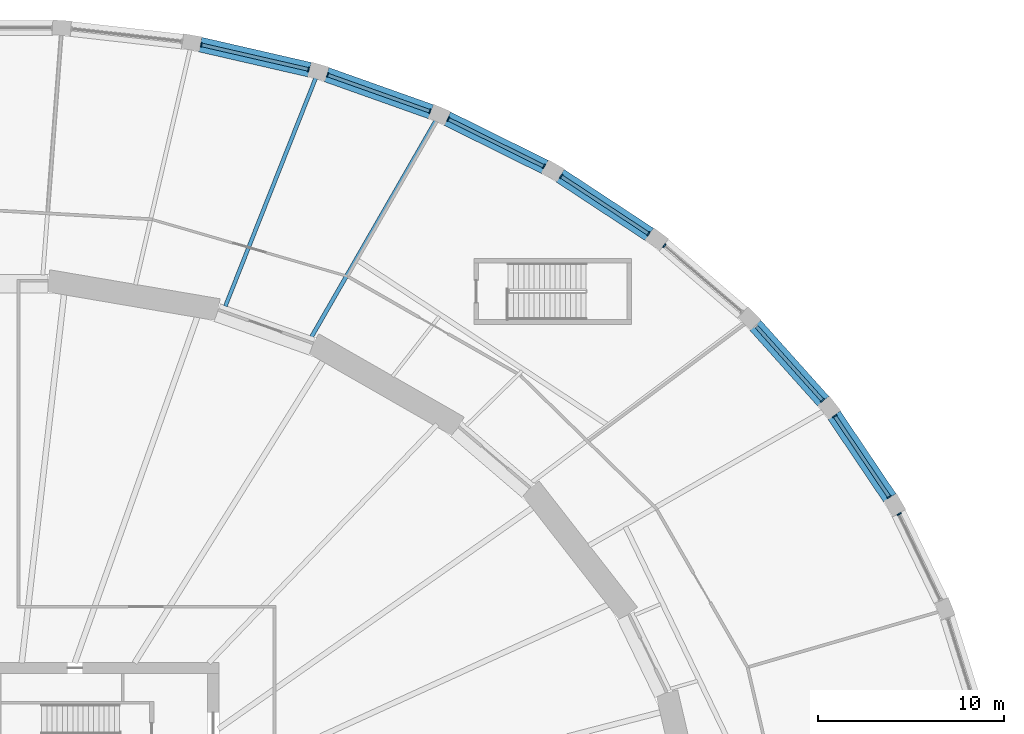
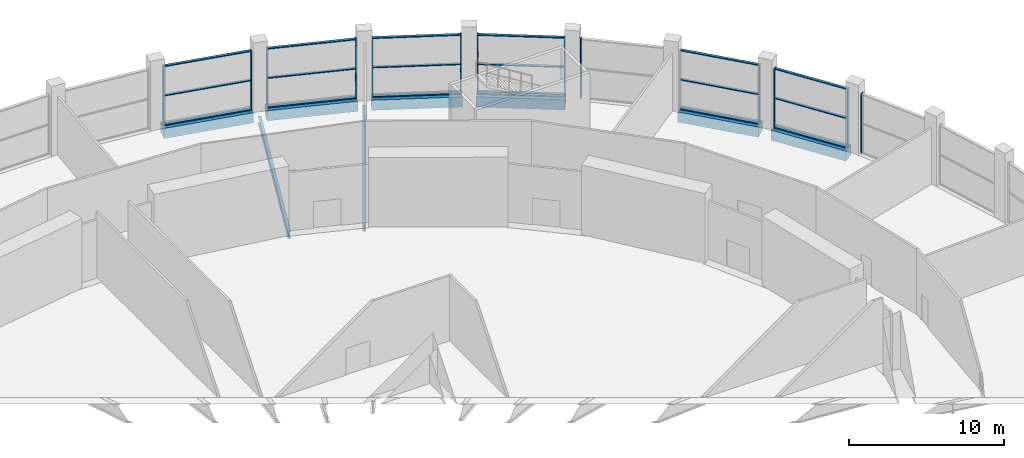
# One storey, part 17 of 29: 31 members, 8 beams, 8 elements without a shape of their own.
"""IFC4 building model written with IfcOpenShell, lengths in metres."""

from ifc_helpers import new_model, si_unit, direction, frame, origin, origin_2d, place, context, subcontext, project, spatial, rectangle, i_section, extrude, material, material_profile, profile_set, type_object, element, aggregate, save


model = new_model("IFC4")

# Units and contexts
model_context = context("Model", 3, precision=1e-05, world=origin(), true_north=direction((0.0, 1.0)))
body_context = subcontext(model_context, "Body", "Model", "MODEL_VIEW")
ifc_project = project(units=[si_unit("LENGTHUNIT", "METRE"), si_unit("AREAUNIT", "SQUARE_METRE"), si_unit("VOLUMEUNIT", "CUBIC_METRE"), si_unit("PLANEANGLEUNIT", "RADIAN"), si_unit("MASSUNIT", "GRAM", prefix="KILO")], contexts=[model_context])

# Site, building, storey
site_placement = place(None, origin())
site = spatial("IfcSite", under=ifc_project, at=site_placement, CompositionType="ELEMENT")
building_placement = place(site_placement, origin())
building = spatial("IfcBuilding", under=site, at=building_placement, Name="Halqa Exchange Tower", CompositionType="ELEMENT")
storey_placement = place(building_placement, frame((0.0, 0.0, 7.0)))
storey = spatial("IfcBuildingStorey", under=building, at=storey_placement, Name="L01", CompositionType="ELEMENT", Elevation=7.0)

# Curtain wall, member
ifc_material_1 = material(Name="Anodised aluminium and clear glass", Category="aluminium")
curtain_wall_type = type_object("IfcCurtainWallType", Name="Exchange hall glazing", PredefinedType="NOTDEFINED", material=ifc_material_1)
curtain_wall_1_placement = place(storey_placement, origin())
curtain_wall_1 = element("IfcCurtainWall", 1, at=curtain_wall_1_placement, inside=storey, type_object=curtain_wall_type, Name="Exchange hall glazing run P3", PredefinedType="NOTDEFINED")
ifc_material_2 = material(Name="Anodised aluminium", Category="aluminium")
ifc_material_profile_1 = material_profile(ifc_material_2, rectangle(XDim=0.25, YDim=0.070068359375, at=origin_2d()), Name="AL 70x250")
ifc_profile_set_1 = profile_set([ifc_material_profile_1], Name="Anodised aluminium")
member_type_1 = type_object("IfcMemberType", Name="Exchange hall glazing mullion 70 x 250", PredefinedType="MULLION", material=ifc_profile_set_1)
member_1_placement = place(storey_placement, frame((48.663818359375, 19.996337890625, 0.0), z_axis=(0.0, 0.0, 1.0), x_axis=(-0.90043534892, -0.434989864727, 0.0)))
member_1 = element("IfcMember", 2, at=member_1_placement, type_object=member_type_1, Name="P3 mullion 2", PredefinedType="MULLION", context=body_context, shape_type="SweptSolid", body=[
    extrude(rectangle(XDim=0.25, YDim=0.070068359375, at=origin_2d()), origin(), (0.0, 0.0, 1.0), 4.699951171875),
])
aggregate(curtain_wall_1, [member_1])

# Curtain wall, members
curtain_wall_2_placement = place(storey_placement, origin())
curtain_wall_2 = element("IfcCurtainWall", 3, at=curtain_wall_2_placement, inside=storey, type_object=curtain_wall_type, Name="Exchange hall glazing run P4", PredefinedType="NOTDEFINED")
member_2_placement = place(storey_placement, frame((48.13232421875, 20.921630859375, 0.0), z_axis=(0.0, 0.0, 1.0), x_axis=(-0.8294895023, -0.55852230535, 0.0)))
member_2 = element("IfcMember", 4, at=member_2_placement, type_object=member_type_1, Name="P4 mullion 1", PredefinedType="MULLION", context=body_context, shape_type="SweptSolid", body=[
    extrude(rectangle(XDim=0.25, YDim=0.070068359375, at=origin_2d()), origin(), (0.0, 0.0, 1.0), 4.699951171875),
])
member_3_placement = place(storey_placement, frame((45.1982421875, 25.279052734375, 0.0), z_axis=(0.0, 0.0, 1.0), x_axis=(-0.8294895023, -0.55852230535, 0.0)))
member_3 = element("IfcMember", 5, at=member_3_placement, type_object=member_type_1, Name="P4 mullion 2", PredefinedType="MULLION", context=body_context, shape_type="SweptSolid", body=[
    extrude(rectangle(XDim=0.25, YDim=0.070068359375, at=origin_2d()), origin(), (0.0, 0.0, 1.0), 4.699951171875),
])

# Curtain wall, member
curtain_wall_3_placement = place(storey_placement, origin())
curtain_wall_3 = element("IfcCurtainWall", 6, at=curtain_wall_3_placement, inside=storey, type_object=curtain_wall_type, Name="Exchange hall glazing run P5", PredefinedType="NOTDEFINED")
member_4_placement = place(storey_placement, frame((44.542724609375, 26.12158203125, 0.0), z_axis=(0.0, 0.0, 1.0), x_axis=(-0.74514769466, -0.666899477539, 0.0)))
member_4 = element("IfcMember", 7, at=member_4_placement, type_object=member_type_1, Name="P5 mullion 1", PredefinedType="MULLION", context=body_context, shape_type="SweptSolid", body=[
    extrude(rectangle(XDim=0.25, YDim=0.070068359375, at=origin_2d()), origin(), (0.0, 0.0, 1.0), 4.699951171875),
])

curtain_wall_4_placement = place(storey_placement, origin())
curtain_wall_4 = element("IfcCurtainWall", 8, at=curtain_wall_4_placement, inside=storey, type_object=curtain_wall_type, Name="Exchange hall glazing run P6", PredefinedType="NOTDEFINED")
member_5_placement = place(storey_placement, frame((36.010986328125, 34.4619140625, 0.0), z_axis=(0.0, 0.0, 1.0), x_axis=(-0.650910929175, -0.759154109704, 0.0)))
member_5 = element("IfcMember", 9, at=member_5_placement, type_object=member_type_1, Name="P6 mullion 2", PredefinedType="MULLION", context=body_context, shape_type="SweptSolid", body=[
    extrude(rectangle(XDim=0.25, YDim=0.070068359375, at=origin_2d()), origin(), (0.0, 0.0, 1.0), 4.699951171875),
])
aggregate(curtain_wall_4, [member_5])

# Curtain wall, members
curtain_wall_5_placement = place(storey_placement, origin())
curtain_wall_5 = element("IfcCurtainWall", 10, at=curtain_wall_5_placement, inside=storey, type_object=curtain_wall_type, Name="Exchange hall glazing run P7", PredefinedType="NOTDEFINED")
member_6_placement = place(storey_placement, frame((35.15771484375, 35.104248046875, 0.0), z_axis=(0.0, 0.0, 1.0), x_axis=(-0.549620040919, -0.835414753652, 0.0)))
member_6 = element("IfcMember", 11, at=member_6_placement, type_object=member_type_1, Name="P7 mullion 1", PredefinedType="MULLION", context=body_context, shape_type="SweptSolid", body=[
    extrude(rectangle(XDim=0.25, YDim=0.070068359375, at=origin_2d()), origin(), (0.0, 0.0, 1.0), 4.699951171875),
])
member_7_placement = place(storey_placement, frame((30.44775390625, 38.202880859375, 0.0), z_axis=(0.0, 0.0, 1.0), x_axis=(-0.549620040919, -0.835414753652, 0.0)))
member_7 = element("IfcMember", 12, at=member_7_placement, type_object=member_type_1, Name="P7 mullion 2", PredefinedType="MULLION", context=body_context, shape_type="SweptSolid", body=[
    extrude(rectangle(XDim=0.25, YDim=0.070068359375, at=origin_2d()), origin(), (0.0, 0.0, 1.0), 4.699951171875),
])

curtain_wall_6_placement = place(storey_placement, origin())
curtain_wall_6 = element("IfcCurtainWall", 13, at=curtain_wall_6_placement, inside=storey, type_object=curtain_wall_type, Name="Exchange hall glazing run P8", PredefinedType="NOTDEFINED")
member_8_placement = place(storey_placement, frame((29.521240234375, 38.734375, 0.0), z_axis=(0.0, 0.0, 1.0), x_axis=(-0.443653417058, -0.896198440934, 0.0)))
member_8 = element("IfcMember", 14, at=member_8_placement, type_object=member_type_1, Name="P8 mullion 1", PredefinedType="MULLION", context=body_context, shape_type="SweptSolid", body=[
    extrude(rectangle(XDim=0.25, YDim=0.070068359375, at=origin_2d()), origin(), (0.0, 0.0, 1.0), 4.699951171875),
])
member_9_placement = place(storey_placement, frame((24.363037109375, 41.287841796875, 0.0), z_axis=(0.0, 0.0, 1.0), x_axis=(-0.443653417058, -0.896198440934, 0.0)))
member_9 = element("IfcMember", 15, at=member_9_placement, type_object=member_type_1, Name="P8 mullion 2", PredefinedType="MULLION", context=body_context, shape_type="SweptSolid", body=[
    extrude(rectangle(XDim=0.25, YDim=0.070068359375, at=origin_2d()), origin(), (0.0, 0.0, 1.0), 4.699951171875),
])

curtain_wall_7_placement = place(storey_placement, origin())
curtain_wall_7 = element("IfcCurtainWall", 16, at=curtain_wall_7_placement, inside=storey, type_object=curtain_wall_type, Name="Exchange hall glazing run P9", PredefinedType="NOTDEFINED")
member_10_placement = place(storey_placement, frame((23.37939453125, 41.7041015625, 0.0), z_axis=(0.0, 0.0, 1.0), x_axis=(-0.334688348326, -0.942328875444, 0.0)))
member_10 = element("IfcMember", 17, at=member_10_placement, type_object=member_type_1, Name="P9 mullion 1", PredefinedType="MULLION", context=body_context, shape_type="SweptSolid", body=[
    extrude(rectangle(XDim=0.25, YDim=0.070068359375, at=origin_2d()), origin(), (0.0, 0.0, 1.0), 4.699951171875),
])
member_11_placement = place(storey_placement, frame((17.86181640625, 43.663818359375, 0.0), z_axis=(0.0, 0.0, 1.0), x_axis=(-0.334688348326, -0.942328875444, 0.0)))
member_11 = element("IfcMember", 18, at=member_11_placement, type_object=member_type_1, Name="P9 mullion 2", PredefinedType="MULLION", context=body_context, shape_type="SweptSolid", body=[
    extrude(rectangle(XDim=0.25, YDim=0.070068359375, at=origin_2d()), origin(), (0.0, 0.0, 1.0), 4.699951171875),
])

curtain_wall_8_placement = place(storey_placement, origin())
curtain_wall_8 = element("IfcCurtainWall", 19, at=curtain_wall_8_placement, inside=storey, type_object=curtain_wall_type, Name="Exchange hall glazing run P10", PredefinedType="NOTDEFINED")
member_12_placement = place(storey_placement, frame((16.836181640625, 43.962646484375, 0.0), z_axis=(0.0, 0.0, 1.0), x_axis=(-0.223896655269, -0.974612891234, 0.0)))
member_12 = element("IfcMember", 20, at=member_12_placement, type_object=member_type_1, Name="P10 mullion 1", PredefinedType="MULLION", context=body_context, shape_type="SweptSolid", body=[
    extrude(rectangle(XDim=0.25, YDim=0.070068359375, at=origin_2d()), origin(), (0.0, 0.0, 1.0), 4.699951171875),
])
member_13_placement = place(storey_placement, frame((11.056396484375, 45.29052734375, 0.0), z_axis=(0.0, 0.0, 1.0), x_axis=(-0.223896655269, -0.974612891234, 0.0)))
member_13 = element("IfcMember", 21, at=member_13_placement, type_object=member_type_1, Name="P10 mullion 2", PredefinedType="MULLION", context=body_context, shape_type="SweptSolid", body=[
    extrude(rectangle(XDim=0.25, YDim=0.070068359375, at=origin_2d()), origin(), (0.0, 0.0, 1.0), 4.699951171875),
])

# Member
ifc_material_profile_2 = material_profile(ifc_material_2, rectangle(XDim=0.199951171875, YDim=0.070068359375, at=origin_2d()), Name="AL 70x200")
ifc_profile_set_2 = profile_set([ifc_material_profile_2], Name="Anodised aluminium")
member_type_2 = type_object("IfcMemberType", Name="Exchange hall glazing transom 70 x 200", PredefinedType="USERDEFINED", material=ifc_profile_set_2)
member_14_placement = place(storey_placement, frame((48.11279296875, 20.95068359375, 0.034912109375), z_axis=(-0.558520359636, 0.82949081241, 0.0), x_axis=(-0.82949081241, -0.558520359636, 0.0)))
member_14 = element("IfcMember", 22, at=member_14_placement, type_object=member_type_2, Name="P4 transom 1.1", ObjectType="TRANSOM", PredefinedType="USERDEFINED", context=body_context, shape_type="SweptSolid", body=[
    extrude(rectangle(XDim=0.199951171875, YDim=0.070068359375, at=origin_2d()), origin(), (0.0, 0.0, 1.0), 5.183349609375),
])

member_15_placement = place(storey_placement, frame((48.11279296875, 20.95068359375, 2.35009765625), z_axis=(-0.558520359636, 0.82949081241, 0.0), x_axis=(-0.82949081241, -0.558520359636, 0.0)))
member_15 = element("IfcMember", 23, at=member_15_placement, type_object=member_type_2, Name="P4 transom 1.2", ObjectType="TRANSOM", PredefinedType="USERDEFINED", context=body_context, shape_type="SweptSolid", body=[
    extrude(rectangle(XDim=0.199951171875, YDim=0.070068359375, at=origin_2d()), origin(), (0.0, 0.0, 1.0), 5.183349609375),
])

member_16_placement = place(storey_placement, frame((48.11279296875, 20.95068359375, 4.6650390625), z_axis=(-0.558520359636, 0.82949081241, 0.0), x_axis=(-0.82949081241, -0.558520359636, 0.0)))
member_16 = element("IfcMember", 24, at=member_16_placement, type_object=member_type_2, Name="P4 transom 1.3", ObjectType="TRANSOM", PredefinedType="USERDEFINED", context=body_context, shape_type="SweptSolid", body=[
    extrude(rectangle(XDim=0.199951171875, YDim=0.070068359375, at=origin_2d()), origin(), (0.0, 0.0, 1.0), 5.183349609375),
])

aggregate(curtain_wall_2, [member_2, member_3, member_14, member_15, member_16])

member_17_placement = place(storey_placement, frame((44.519287109375, 26.147705078125, 0.034912109375), z_axis=(-0.666880900978, 0.745164320074, 0.0), x_axis=(-0.745164320074, -0.666880900978, 0.0)))
member_17 = element("IfcMember", 25, at=member_17_placement, type_object=member_type_2, Name="P5 transom 1.1", ObjectType="TRANSOM", PredefinedType="USERDEFINED", context=body_context, shape_type="SweptSolid", body=[
    extrude(rectangle(XDim=0.199951171875, YDim=0.070068359375, at=origin_2d()), origin(), (0.0, 0.0, 1.0), 5.30810546875),
])

member_18_placement = place(storey_placement, frame((44.519287109375, 26.147705078125, 2.35009765625), z_axis=(-0.666880900978, 0.745164320074, 0.0), x_axis=(-0.745164320074, -0.666880900978, 0.0)))
member_18 = element("IfcMember", 26, at=member_18_placement, type_object=member_type_2, Name="P5 transom 1.2", ObjectType="TRANSOM", PredefinedType="USERDEFINED", context=body_context, shape_type="SweptSolid", body=[
    extrude(rectangle(XDim=0.199951171875, YDim=0.070068359375, at=origin_2d()), origin(), (0.0, 0.0, 1.0), 5.30810546875),
])

member_19_placement = place(storey_placement, frame((44.519287109375, 26.147705078125, 4.6650390625), z_axis=(-0.666880900978, 0.745164320074, 0.0), x_axis=(-0.745164320074, -0.666880900978, 0.0)))
member_19 = element("IfcMember", 27, at=member_19_placement, type_object=member_type_2, Name="P5 transom 1.3", ObjectType="TRANSOM", PredefinedType="USERDEFINED", context=body_context, shape_type="SweptSolid", body=[
    extrude(rectangle(XDim=0.199951171875, YDim=0.070068359375, at=origin_2d()), origin(), (0.0, 0.0, 1.0), 5.30810546875),
])

aggregate(curtain_wall_3, [member_4, member_17, member_18, member_19])

member_20_placement = place(storey_placement, frame((35.12841796875, 35.12353515625, 0.034912109375), z_axis=(-0.835401187087, 0.549640661355, 0.0), x_axis=(-0.549640661355, -0.835401187087, 0.0)))
member_20 = element("IfcMember", 28, at=member_20_placement, type_object=member_type_2, Name="P7 transom 1.1", ObjectType="TRANSOM", PredefinedType="USERDEFINED", context=body_context, shape_type="SweptSolid", body=[
    extrude(rectangle(XDim=0.199951171875, YDim=0.070068359375, at=origin_2d()), origin(), (0.0, 0.0, 1.0), 5.56787109375),
])

member_21_placement = place(storey_placement, frame((35.12841796875, 35.12353515625, 2.35009765625), z_axis=(-0.835401187087, 0.549640661355, 0.0), x_axis=(-0.549640661355, -0.835401187087, 0.0)))
member_21 = element("IfcMember", 29, at=member_21_placement, type_object=member_type_2, Name="P7 transom 1.2", ObjectType="TRANSOM", PredefinedType="USERDEFINED", context=body_context, shape_type="SweptSolid", body=[
    extrude(rectangle(XDim=0.199951171875, YDim=0.070068359375, at=origin_2d()), origin(), (0.0, 0.0, 1.0), 5.56787109375),
])

member_22_placement = place(storey_placement, frame((35.12841796875, 35.12353515625, 4.6650390625), z_axis=(-0.835401187087, 0.549640661355, 0.0), x_axis=(-0.549640661355, -0.835401187087, 0.0)))
member_22 = element("IfcMember", 30, at=member_22_placement, type_object=member_type_2, Name="P7 transom 1.3", ObjectType="TRANSOM", PredefinedType="USERDEFINED", context=body_context, shape_type="SweptSolid", body=[
    extrude(rectangle(XDim=0.199951171875, YDim=0.070068359375, at=origin_2d()), origin(), (0.0, 0.0, 1.0), 5.56787109375),
])

aggregate(curtain_wall_5, [member_6, member_7, member_20, member_21, member_22])

member_23_placement = place(storey_placement, frame((29.489990234375, 38.749755859375, 0.034912109375), z_axis=(-0.89618076134, 0.443689128788, 0.0), x_axis=(-0.443689128788, -0.89618076134, 0.0)))
member_23 = element("IfcMember", 31, at=member_23_placement, type_object=member_type_2, Name="P8 transom 1.1", ObjectType="TRANSOM", PredefinedType="USERDEFINED", context=body_context, shape_type="SweptSolid", body=[
    extrude(rectangle(XDim=0.199951171875, YDim=0.070068359375, at=origin_2d()), origin(), (0.0, 0.0, 1.0), 5.685791015625),
])

member_24_placement = place(storey_placement, frame((29.489990234375, 38.749755859375, 2.35009765625), z_axis=(-0.89618076134, 0.443689128788, 0.0), x_axis=(-0.443689128788, -0.89618076134, 0.0)))
member_24 = element("IfcMember", 32, at=member_24_placement, type_object=member_type_2, Name="P8 transom 1.2", ObjectType="TRANSOM", PredefinedType="USERDEFINED", context=body_context, shape_type="SweptSolid", body=[
    extrude(rectangle(XDim=0.199951171875, YDim=0.070068359375, at=origin_2d()), origin(), (0.0, 0.0, 1.0), 5.685791015625),
])

member_25_placement = place(storey_placement, frame((29.489990234375, 38.749755859375, 4.6650390625), z_axis=(-0.89618076134, 0.443689128788, 0.0), x_axis=(-0.443689128788, -0.89618076134, 0.0)))
member_25 = element("IfcMember", 33, at=member_25_placement, type_object=member_type_2, Name="P8 transom 1.3", ObjectType="TRANSOM", PredefinedType="USERDEFINED", context=body_context, shape_type="SweptSolid", body=[
    extrude(rectangle(XDim=0.199951171875, YDim=0.070068359375, at=origin_2d()), origin(), (0.0, 0.0, 1.0), 5.685791015625),
])

aggregate(curtain_wall_6, [member_8, member_9, member_23, member_24, member_25])

member_26_placement = place(storey_placement, frame((23.346435546875, 41.7158203125, 0.034912109375), z_axis=(-0.942328600126, 0.334689123493, 0.0), x_axis=(-0.334689123493, -0.942328600126, 0.0)))
member_26 = element("IfcMember", 34, at=member_26_placement, type_object=member_type_2, Name="P9 transom 1.1", ObjectType="TRANSOM", PredefinedType="USERDEFINED", context=body_context, shape_type="SweptSolid", body=[
    extrude(rectangle(XDim=0.199951171875, YDim=0.070068359375, at=origin_2d()), origin(), (0.0, 0.0, 1.0), 5.785400390625),
])

member_27_placement = place(storey_placement, frame((23.346435546875, 41.7158203125, 2.35009765625), z_axis=(-0.942328600126, 0.334689123493, 0.0), x_axis=(-0.334689123493, -0.942328600126, 0.0)))
member_27 = element("IfcMember", 35, at=member_27_placement, type_object=member_type_2, Name="P9 transom 1.2", ObjectType="TRANSOM", PredefinedType="USERDEFINED", context=body_context, shape_type="SweptSolid", body=[
    extrude(rectangle(XDim=0.199951171875, YDim=0.070068359375, at=origin_2d()), origin(), (0.0, 0.0, 1.0), 5.785400390625),
])

member_28_placement = place(storey_placement, frame((23.346435546875, 41.7158203125, 4.6650390625), z_axis=(-0.942328600126, 0.334689123493, 0.0), x_axis=(-0.334689123493, -0.942328600126, 0.0)))
member_28 = element("IfcMember", 36, at=member_28_placement, type_object=member_type_2, Name="P9 transom 1.3", ObjectType="TRANSOM", PredefinedType="USERDEFINED", context=body_context, shape_type="SweptSolid", body=[
    extrude(rectangle(XDim=0.199951171875, YDim=0.070068359375, at=origin_2d()), origin(), (0.0, 0.0, 1.0), 5.785400390625),
])

aggregate(curtain_wall_7, [member_10, member_11, member_26, member_27, member_28])

member_29_placement = place(storey_placement, frame((16.80224609375, 43.970458984375, 0.034912109375), z_axis=(-0.974610483498, 0.223907135784, 0.0), x_axis=(-0.223907135784, -0.974610483498, 0.0)))
member_29 = element("IfcMember", 37, at=member_29_placement, type_object=member_type_2, Name="P10 transom 1.1", ObjectType="TRANSOM", PredefinedType="USERDEFINED", context=body_context, shape_type="SweptSolid", body=[
    extrude(rectangle(XDim=0.199951171875, YDim=0.070068359375, at=origin_2d()), origin(), (0.0, 0.0, 1.0), 5.860595703125),
])

member_30_placement = place(storey_placement, frame((16.80224609375, 43.970458984375, 2.35009765625), z_axis=(-0.974610483498, 0.223907135784, 0.0), x_axis=(-0.223907135784, -0.974610483498, 0.0)))
member_30 = element("IfcMember", 38, at=member_30_placement, type_object=member_type_2, Name="P10 transom 1.2", ObjectType="TRANSOM", PredefinedType="USERDEFINED", context=body_context, shape_type="SweptSolid", body=[
    extrude(rectangle(XDim=0.199951171875, YDim=0.070068359375, at=origin_2d()), origin(), (0.0, 0.0, 1.0), 5.860595703125),
])

member_31_placement = place(storey_placement, frame((16.80224609375, 43.970458984375, 4.6650390625), z_axis=(-0.974610483498, 0.223907135784, 0.0), x_axis=(-0.223907135784, -0.974610483498, 0.0)))
member_31 = element("IfcMember", 39, at=member_31_placement, type_object=member_type_2, Name="P10 transom 1.3", ObjectType="TRANSOM", PredefinedType="USERDEFINED", context=body_context, shape_type="SweptSolid", body=[
    extrude(rectangle(XDim=0.199951171875, YDim=0.070068359375, at=origin_2d()), origin(), (0.0, 0.0, 1.0), 5.860595703125),
])

aggregate(curtain_wall_8, [member_12, member_13, member_29, member_30, member_31])

# Beams
ifc_material_3 = material(Name="Steel S355", Category="steel")
ifc_material_profile_3 = material_profile(ifc_material_3, i_section(OverallWidth=0.2099609375, OverallDepth=0.550048828125, WebThickness=0.010986328125, FlangeThickness=0.01708984375, FilletRadius=0.02392578125, at=origin_2d()), Name="IPE 550")
ifc_profile_set_3 = profile_set([ifc_material_profile_3], Name="Steel S355")
beam_type_1 = type_object("IfcBeamType", Name="Floor beam IPE 550", PredefinedType="BEAM", material=ifc_profile_set_3)
beam_1_placement = place(storey_placement, frame((12.352294921875, 31.2001953125, -0.625), z_axis=(0.368106640822, 0.929783577497, 0.0), x_axis=(-0.929783577497, 0.368106640822, 0.0)))
element("IfcBeam", 40, at=beam_1_placement, inside=storey, type_object=beam_type_1, Name="Radial beam 10", PredefinedType="BEAM", context=body_context, shape_type="SweptSolid", body=[
    extrude(i_section(OverallWidth=0.2099609375, OverallDepth=0.550048828125, WebThickness=0.010986328125, FlangeThickness=0.01708984375, FilletRadius=0.02392578125, at=origin_2d()), origin(), (0.0, 0.0, 1.0), 13.22412109375),
])
ifc_material_profile_4 = material_profile(ifc_material_3, i_section(OverallWidth=0.219970703125, OverallDepth=0.60009765625, WebThickness=0.011962890625, FlangeThickness=0.01904296875, FilletRadius=0.02392578125, at=origin_2d()), Name="IPE 600")
ifc_profile_set_4 = profile_set([ifc_material_profile_4], Name="Steel S355")
beam_type_2 = type_object("IfcBeamType", Name="Floor beam IPE 600", PredefinedType="BEAM", material=ifc_profile_set_4)
beam_2_placement = place(storey_placement, frame((16.996826171875, 29.551513671875, -0.64990234375), z_axis=(0.498570786865, 0.866848989435, 0.0), x_axis=(-0.866848989435, 0.498570786865, 0.0)))
element("IfcBeam", 41, at=beam_2_placement, inside=storey, type_object=beam_type_2, Name="Radial beam 9", PredefinedType="BEAM", context=body_context, shape_type="SweptSolid", body=[
    extrude(i_section(OverallWidth=0.219970703125, OverallDepth=0.60009765625, WebThickness=0.011962890625, FlangeThickness=0.01904296875, FilletRadius=0.02392578125, at=origin_2d()), origin(), (0.0, 0.0, 1.0), 13.438720703125),
])
ifc_material_4 = material(Name="Concrete C60/75", Category="concrete")
ifc_material_profile_5 = material_profile(ifc_material_4, rectangle(XDim=0.800048828125, YDim=0.800048828125, at=origin_2d()), Name="800 x 800")
ifc_profile_set_5 = profile_set([ifc_material_profile_5], Name="Concrete C60/75")
beam_type_3 = type_object("IfcBeamType", Name="RC podium edge beam 800 x 800 C60/75", PredefinedType="SPANDREL", material=ifc_profile_set_5)
beam_3_placement = place(storey_placement, frame((48.1669921875, 20.8701171875, -0.39990234375), z_axis=(-0.558528358221, 0.829485426673, 0.0), x_axis=(-0.829485426673, -0.558528358221, 0.0)))
element("IfcBeam", 42, at=beam_3_placement, inside=storey, type_object=beam_type_3, Name="Podium edge beam 4", PredefinedType="SPANDREL", context=body_context, shape_type="SweptSolid", body=[
    extrude(rectangle(XDim=0.800048828125, YDim=0.800048828125, at=origin_2d()), origin(), (0.0, 0.0, 1.0), 5.378173828125),
])
beam_4_placement = place(storey_placement, frame((44.58349609375, 26.075927734375, -0.39990234375), z_axis=(-0.666902525907, 0.745144966392, 0.0), x_axis=(-0.745144966392, -0.666902525907, 0.0)))
element("IfcBeam", 43, at=beam_4_placement, inside=storey, type_object=beam_type_3, Name="Podium edge beam 5", PredefinedType="SPANDREL", context=body_context, shape_type="SweptSolid", body=[
    extrude(rectangle(XDim=0.800048828125, YDim=0.800048828125, at=origin_2d()), origin(), (0.0, 0.0, 1.0), 5.501220703125),
])
beam_5_placement = place(storey_placement, frame((35.208984375, 35.070556640625, -0.39990234375), z_axis=(-0.835418618456, 0.549614166426, 0.0), x_axis=(-0.549614166426, -0.835418618456, 0.0)))
element("IfcBeam", 44, at=beam_5_placement, inside=storey, type_object=beam_type_3, Name="Podium edge beam 7", PredefinedType="SPANDREL", context=body_context, shape_type="SweptSolid", body=[
    extrude(rectangle(XDim=0.800048828125, YDim=0.800048828125, at=origin_2d()), origin(), (0.0, 0.0, 1.0), 5.760986328125),
])
beam_6_placement = place(storey_placement, frame((29.576904296875, 38.706787109375, -0.39990234375), z_axis=(-0.896205416004, 0.443639326847, 0.0), x_axis=(-0.443639326847, -0.896205416004, 0.0)))
element("IfcBeam", 45, at=beam_6_placement, inside=storey, type_object=beam_type_3, Name="Podium edge beam 8", PredefinedType="SPANDREL", context=body_context, shape_type="SweptSolid", body=[
    extrude(rectangle(XDim=0.800048828125, YDim=0.800048828125, at=origin_2d()), origin(), (0.0, 0.0, 1.0), 5.880126953125),
])
beam_7_placement = place(storey_placement, frame((23.4384765625, 41.683349609375, -0.39990234375), z_axis=(-0.942343471221, 0.334647250469, 0.0), x_axis=(-0.334647250469, -0.942343471221, 0.0)))
element("IfcBeam", 46, at=beam_7_placement, inside=storey, type_object=beam_type_3, Name="Podium edge beam 9", PredefinedType="SPANDREL", context=body_context, shape_type="SweptSolid", body=[
    extrude(rectangle(XDim=0.800048828125, YDim=0.800048828125, at=origin_2d()), origin(), (0.0, 0.0, 1.0), 5.980712890625),
])
beam_8_placement = place(storey_placement, frame((16.89794921875, 43.948486328125, -0.39990234375), z_axis=(-0.974604133477, 0.223934774008, 0.0), x_axis=(-0.223934774008, -0.974604133477, 0.0)))
element("IfcBeam", 47, at=beam_8_placement, inside=storey, type_object=beam_type_3, Name="Podium edge beam 10", PredefinedType="SPANDREL", context=body_context, shape_type="SweptSolid", body=[
    extrude(rectangle(XDim=0.800048828125, YDim=0.800048828125, at=origin_2d()), origin(), (0.0, 0.0, 1.0), 6.05517578125),
])

save(model, "model.ifc")
